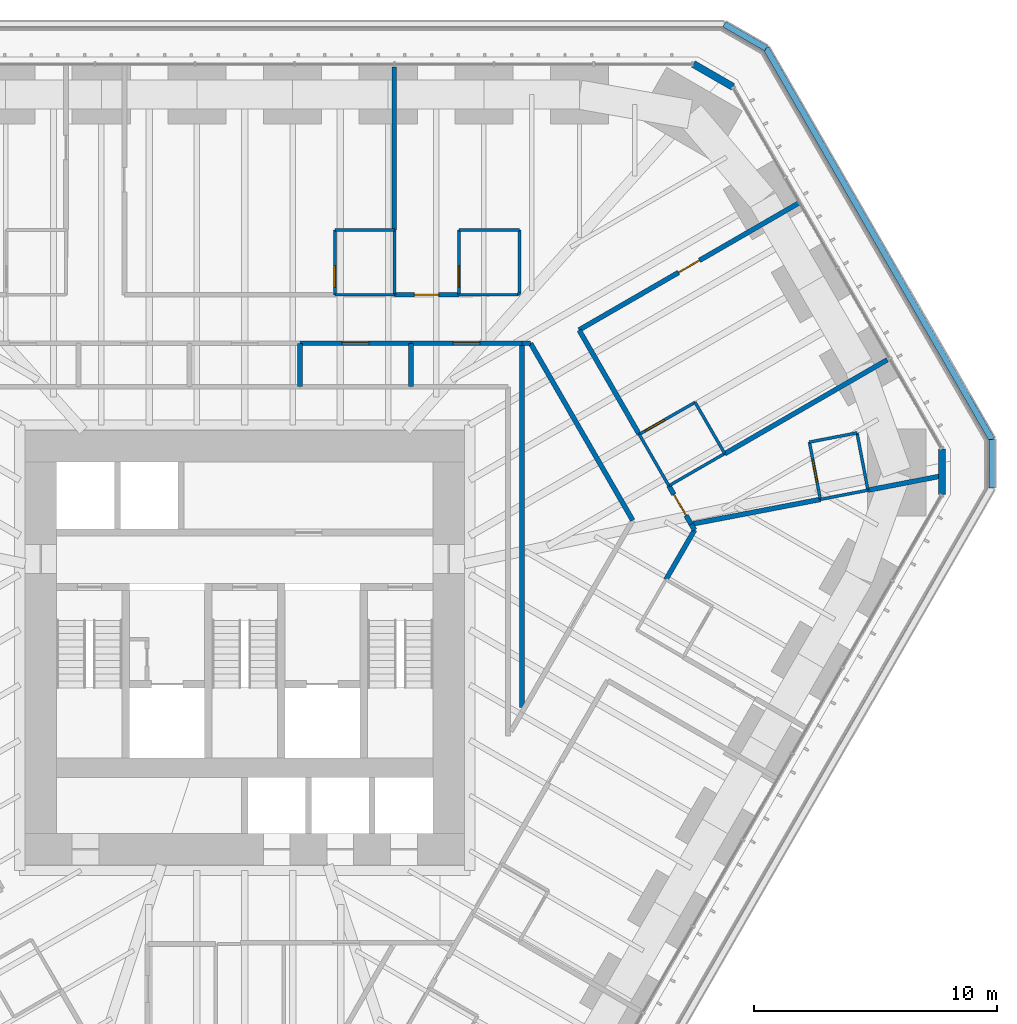
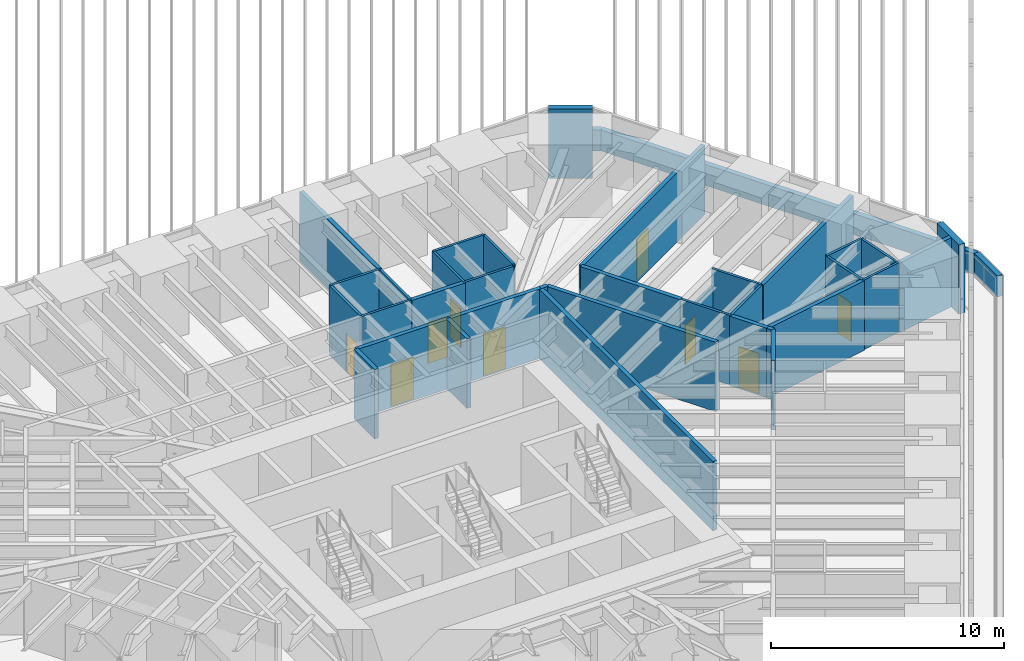
# One storey, part 234 of 238: 39 walls, 9 doors, 9 openings.
"""IFC4 building model written with IfcOpenShell, lengths in metres."""

from ifc_helpers import new_model, si_unit, direction, frame, frame_2d, origin, place, context, subcontext, project, spatial, rectangle, extrude, material, layer, layer_set, type_object, element, fill, save


model = new_model("IFC4")

# Units and contexts
model_context = context("Model", 3, precision=1e-05, world=origin(), true_north=direction((0.0, 1.0)))
body_context = subcontext(model_context, "Body", "Model", "MODEL_VIEW")
ifc_project = project(units=[si_unit("LENGTHUNIT", "METRE"), si_unit("AREAUNIT", "SQUARE_METRE"), si_unit("VOLUMEUNIT", "CUBIC_METRE"), si_unit("PLANEANGLEUNIT", "RADIAN"), si_unit("MASSUNIT", "GRAM", prefix="KILO")], contexts=[model_context])

# Site, building, storey
site_placement = place(None, origin())
site = spatial("IfcSite", under=ifc_project, at=site_placement, CompositionType="ELEMENT")
building_placement = place(site_placement, origin())
building = spatial("IfcBuilding", under=site, at=building_placement, Name="Sandreach Pilgrim Tower", CompositionType="ELEMENT")
storey_placement = place(building_placement, frame((0.0, 0.0, 96.800048828125)))
storey = spatial("IfcBuildingStorey", under=building, at=storey_placement, Name="L23", CompositionType="ELEMENT", Elevation=96.800048828125)

# Wall, opening, door
ifc_material_1 = material(Name="Moisture-resistant gypsum board on steel studs", Category="steel")
ifc_layer_1 = layer(ifc_material_1, 0.1201171875)
ifc_layer_set_1 = layer_set([ifc_layer_1], Name="Bathroom partition 120")
wall_type_1 = type_object("IfcWallType", Name="Bathroom partition 120", PredefinedType="PARTITIONING", material=ifc_layer_set_1)
wall_1_placement = place(storey_placement, frame((3.7099609375, 15.659912109375, 0.0), z_axis=(0.0, 0.0, 1.0), x_axis=(0.0, -1.0, 0.0)))
wall_1 = element("IfcWall", 1, at=wall_1_placement, inside=storey, type_object=wall_type_1, Name="Bathroom partition L23-081", PredefinedType="PARTITIONING", context=body_context, shape_type="SweptSolid", body=[
    extrude(rectangle(XDim=2.669921875, YDim=0.1201171875, at=frame_2d((1.3349609375, 0.0))), origin(), (0.0, 0.0, 1.0), 3.639892578125),
])
opening_1_placement = place(wall_1_placement, frame((1.469970703125, 0.0, 0.0)))
opening_1 = element("IfcOpeningElement", 2, at=opening_1_placement, cuts=wall_1, Name="Opening D09-02B", PredefinedType="OPENING", context=body_context, shape_type="SweptSolid", body=[
    extrude(rectangle(XDim=0.89990234375, YDim=2.030029296875, at=frame_2d((0.449951171875, 1.01513671875))), frame((0.0, 0.06005859375, 0.0), z_axis=(0.0, -1.0, 0.0), x_axis=(1.0, 0.0, 0.0)), (0.0, 0.0, 1.0), 0.1201171875),
])
ifc_material_2 = material(Name="Timber door, steel frame", Category="steel")
door_type_1 = type_object("IfcDoorType", Name="Bathroom door", OperationType="SINGLE_SWING_LEFT", PredefinedType="DOOR", material=ifc_material_2)
door_1_placement = place(opening_1_placement, origin())
door_1 = element("IfcDoor", 3, at=door_1_placement, inside=storey, type_object=door_type_1, Name="Door 2302B", OperationType="SINGLE_SWING_RIGHT", OverallHeight=2.030029296875, OverallWidth=0.89990234375, PredefinedType="DOOR", context=body_context, shape_type="SweptSolid", body=[
    extrude(rectangle(XDim=0.89990234375, YDim=2.030029296875, at=frame_2d((0.449951171875, 1.01513671875))), frame((0.0, 0.02490234375, 0.0), z_axis=(0.0, -1.0, 0.0), x_axis=(1.0, 0.0, 0.0)), (0.0, 0.0, 1.0), 0.050048828125),
])
fill(opening_1, door_1)

# Walls
for number, where, z_axis, x_axis, name in (
    (4, (6.159912109375, 12.989990234375, 0.0), (0.0, 0.0, 1.0), (-1.0, 0.0, 0.0), "Bathroom partition L23-087"),
    (5, (6.159912109375, 15.659912109375, 0.0), (0.0, 0.0, 1.0), (-1.0, 0.0, 0.0), "Bathroom partition L23-088"),
):
    element("IfcWall", number, at=place(storey_placement, frame(where, z_axis=z_axis, x_axis=x_axis)), inside=storey, type_object=wall_type_1, Name=name, PredefinedType="PARTITIONING", context=body_context, shape_type="SweptSolid", body=[
        extrude(rectangle(XDim=2.449951171875, YDim=0.1201171875, at=frame_2d((1.22509765625, 0.0))), origin(), (0.0, 0.0, 1.0), 3.639892578125),
    ])
wall_2_placement = place(storey_placement, frame((6.159912109375, 15.659912109375, 0.0), z_axis=(0.0, 0.0, 1.0), x_axis=(0.0, -1.0, 0.0)))
element("IfcWall", 6, at=wall_2_placement, inside=storey, type_object=wall_type_1, Name="Bathroom partition L23-089", PredefinedType="PARTITIONING", context=body_context, shape_type="SweptSolid", body=[
    extrude(rectangle(XDim=2.669921875, YDim=0.1201171875, at=frame_2d((1.3349609375, 0.0))), origin(), (0.0, 0.0, 1.0), 3.639892578125),
])

# Wall, opening, door
wall_3_placement = place(storey_placement, frame((8.820068359375, 15.659912109375, 0.0), z_axis=(0.0, 0.0, 1.0), x_axis=(0.0, -1.0, 0.0)))
wall_3 = element("IfcWall", 7, at=wall_3_placement, inside=storey, type_object=wall_type_1, Name="Bathroom partition L23-101", PredefinedType="PARTITIONING", context=body_context, shape_type="SweptSolid", body=[
    extrude(rectangle(XDim=2.669921875, YDim=0.1201171875, at=frame_2d((1.3349609375, 0.0))), origin(), (0.0, 0.0, 1.0), 3.639892578125),
])
opening_2_placement = place(wall_3_placement, frame((1.469970703125, 0.0, 0.0)))
opening_2 = element("IfcOpeningElement", 8, at=opening_2_placement, cuts=wall_3, Name="Opening D09-03B", PredefinedType="OPENING", context=body_context, shape_type="SweptSolid", body=[
    extrude(rectangle(XDim=0.89990234375, YDim=2.030029296875, at=frame_2d((0.449951171875, 1.01513671875))), frame((0.0, 0.06005859375, 0.0), z_axis=(0.0, -1.0, 0.0), x_axis=(1.0, 0.0, 0.0)), (0.0, 0.0, 1.0), 0.1201171875),
])
door_2_placement = place(opening_2_placement, origin())
door_2 = element("IfcDoor", 9, at=door_2_placement, inside=storey, type_object=door_type_1, Name="Door 2303B", OperationType="SINGLE_SWING_RIGHT", OverallHeight=2.030029296875, OverallWidth=0.89990234375, PredefinedType="DOOR", context=body_context, shape_type="SweptSolid", body=[
    extrude(rectangle(XDim=0.89990234375, YDim=2.030029296875, at=frame_2d((0.449951171875, 1.01513671875))), frame((0.0, 0.02490234375, 0.0), z_axis=(0.0, -1.0, 0.0), x_axis=(1.0, 0.0, 0.0)), (0.0, 0.0, 1.0), 0.050048828125),
])
fill(opening_2, door_2)

# Walls
wall_4_placement = place(storey_placement, frame((11.25, 12.989990234375, 0.0), z_axis=(0.0, 0.0, 1.0), x_axis=(-1.0, 0.0, 0.0)))
element("IfcWall", 10, at=wall_4_placement, inside=storey, type_object=wall_type_1, Name="Bathroom partition L23-109", PredefinedType="PARTITIONING", context=body_context, shape_type="SweptSolid", body=[
    extrude(rectangle(XDim=2.429931640625, YDim=0.1201171875, at=frame_2d((1.21484375, 0.0))), origin(), (0.0, 0.0, 1.0), 3.639892578125),
])
wall_5_placement = place(storey_placement, frame((11.320068359375, 13.070068359375, 0.0), z_axis=(0.0, 0.0, 1.0), x_axis=(-0.658504607869, -0.752576694707, 0.0)))
element("IfcWall", 11, at=wall_5_placement, inside=storey, type_object=wall_type_1, Name="Bathroom partition L23-112", PredefinedType="PARTITIONING", context=body_context, shape_type="SweptSolid", body=[
    extrude(rectangle(XDim=0.1064453125, YDim=0.1201171875, at=frame_2d((0.05322265625, 0.0))), origin(), (0.0, 0.0, 1.0), 3.639892578125),
])
wall_6_placement = place(storey_placement, frame((11.320068359375, 13.070068359375, 0.0), z_axis=(0.0, 0.0, 1.0), x_axis=(0.0, 1.0, 0.0)))
element("IfcWall", 12, at=wall_6_placement, inside=storey, type_object=wall_type_1, Name="Bathroom partition L23-113", PredefinedType="PARTITIONING", context=body_context, shape_type="SweptSolid", body=[
    extrude(rectangle(XDim=2.58984375, YDim=0.1201171875, at=frame_2d((1.294921875, 0.0))), origin(), (0.0, 0.0, 1.0), 3.639892578125),
])
wall_7_placement = place(storey_placement, frame((11.320068359375, 15.659912109375, 0.0), z_axis=(0.0, 0.0, 1.0), x_axis=(-1.0, 0.0, 0.0)))
element("IfcWall", 13, at=wall_7_placement, inside=storey, type_object=wall_type_1, Name="Bathroom partition L23-114", PredefinedType="PARTITIONING", context=body_context, shape_type="SweptSolid", body=[
    extrude(rectangle(XDim=2.5, YDim=0.1201171875, at=frame_2d((1.25, 0.0))), origin(), (0.0, 0.0, 1.0), 3.639892578125),
])
wall_8_placement = place(storey_placement, frame((16.248779296875, 7.2392578125, 0.0), z_axis=(0.0, 0.0, 1.0), x_axis=(0.499296083727, -0.866431428778, 0.0)))
element("IfcWall", 14, at=wall_8_placement, inside=storey, type_object=wall_type_1, Name="Bathroom partition L23-126", PredefinedType="PARTITIONING", context=body_context, shape_type="SweptSolid", body=[
    extrude(rectangle(XDim=2.44580078125, YDim=0.1201171875, at=frame_2d((1.222900390625, 0.0))), origin(), (0.0, 0.0, 1.0), 3.639892578125),
])
wall_9_placement = place(storey_placement, frame((17.469970703125, 5.1201171875, 0.0), z_axis=(0.0, 0.0, 1.0), x_axis=(0.865715544058, 0.500536309148, 0.0)))
element("IfcWall", 15, at=wall_9_placement, inside=storey, type_object=wall_type_1, Name="Bathroom partition L23-129", PredefinedType="PARTITIONING", context=body_context, shape_type="SweptSolid", body=[
    extrude(rectangle(XDim=2.65673828125, YDim=0.1201171875, at=frame_2d((1.328369140625, 0.0))), origin(), (0.0, 0.0, 1.0), 3.639892578125),
])

# Wall, opening, door
wall_10_placement = place(storey_placement, frame((18.550048828125, 8.56005859375, 0.0), z_axis=(0.0, 0.0, 1.0), x_axis=(-0.867306827682, -0.497773911185, 0.0)))
wall_10 = element("IfcWall", 16, at=wall_10_placement, inside=storey, type_object=wall_type_1, Name="Bathroom partition L23-134", PredefinedType="PARTITIONING", context=body_context, shape_type="SweptSolid", body=[
    extrude(rectangle(XDim=2.65185546875, YDim=0.1201171875, at=frame_2d((1.325927734375, 0.0))), origin(), (0.0, 0.0, 1.0), 2.7255859375),
])
opening_3_placement = place(wall_10_placement, frame((1.451904296875, 0.0, 0.0)))
opening_3 = element("IfcOpeningElement", 17, at=opening_3_placement, cuts=wall_10, Name="Opening D09-04B", PredefinedType="OPENING", context=body_context, shape_type="SweptSolid", body=[
    extrude(rectangle(XDim=0.89990234375, YDim=2.030029296875, at=frame_2d((0.449951171875, 1.01513671875))), frame((0.0, 0.06005859375, 0.0), z_axis=(0.0, -1.0, 0.0), x_axis=(1.0, 0.0, 0.0)), (0.0, 0.0, 1.0), 0.1201171875),
])
door_3_placement = place(opening_3_placement, origin())
door_3 = element("IfcDoor", 18, at=door_3_placement, inside=storey, type_object=door_type_1, Name="Door 2304B", OperationType="SINGLE_SWING_RIGHT", OverallHeight=2.030029296875, OverallWidth=0.89990234375, PredefinedType="DOOR", context=body_context, shape_type="SweptSolid", body=[
    extrude(rectangle(XDim=0.89990234375, YDim=2.030029296875, at=frame_2d((0.449951171875, 1.01513671875))), frame((0.0, 0.02490234375, 0.0), z_axis=(0.0, -1.0, 0.0), x_axis=(1.0, 0.0, 0.0)), (0.0, 0.0, 1.0), 0.050048828125),
])
fill(opening_3, door_3)

# Wall
wall_11_placement = place(storey_placement, frame((19.77001953125, 6.449951171875, 0.0), z_axis=(0.0, 0.0, 1.0), x_axis=(-0.500522890398, 0.865723302324, 0.0)))
element("IfcWall", 19, at=wall_11_placement, inside=storey, type_object=wall_type_1, Name="Bathroom partition L23-136", PredefinedType="PARTITIONING", context=body_context, shape_type="SweptSolid", body=[
    extrude(rectangle(XDim=2.4375, YDim=0.1201171875, at=frame_2d((1.21875, 0.0))), origin(), (0.0, 0.0, 1.0), 3.639892578125),
])

# Wall, opening, door
wall_12_placement = place(storey_placement, frame((23.260009765625, 6.919921875, 0.0), z_axis=(0.0, 0.0, 1.0), x_axis=(0.187294228499, -0.982303859288, 0.0)))
wall_12 = element("IfcWall", 20, at=wall_12_placement, inside=storey, type_object=wall_type_1, Name="Bathroom partition L23-137", PredefinedType="PARTITIONING", context=body_context, shape_type="SweptSolid", body=[
    extrude(rectangle(XDim=2.40234375, YDim=0.1201171875, at=frame_2d((1.201171875, 0.0))), origin(), (0.0, 0.0, 1.0), 3.639892578125),
])
opening_4_placement = place(wall_12_placement, frame((0.75, 0.0, 0.0)))
opening_4 = element("IfcOpeningElement", 21, at=opening_4_placement, cuts=wall_12, Name="Opening D09-05B", PredefinedType="OPENING", context=body_context, shape_type="SweptSolid", body=[
    extrude(rectangle(XDim=0.89990234375, YDim=2.030029296875, at=frame_2d((0.449951171875, 1.01513671875))), frame((0.0, 0.06005859375, 0.0), z_axis=(0.0, -1.0, 0.0), x_axis=(1.0, 0.0, 0.0)), (0.0, 0.0, 1.0), 0.1201171875),
])
door_4_placement = place(opening_4_placement, origin())
door_4 = element("IfcDoor", 22, at=door_4_placement, inside=storey, type_object=door_type_1, Name="Door 2305B", OperationType="SINGLE_SWING_LEFT", OverallHeight=2.030029296875, OverallWidth=0.89990234375, PredefinedType="DOOR", context=body_context, shape_type="SweptSolid", body=[
    extrude(rectangle(XDim=0.89990234375, YDim=2.030029296875, at=frame_2d((0.449951171875, 1.01513671875))), frame((0.0, 0.02490234375, 0.0), z_axis=(0.0, -1.0, 0.0), x_axis=(1.0, 0.0, 0.0)), (0.0, 0.0, 1.0), 0.050048828125),
])
fill(opening_4, door_4)

# Walls
wall_13_placement = place(storey_placement, frame((23.7099609375, 4.56005859375, 0.0), z_axis=(0.0, 0.0, 1.0), x_axis=(0.981729772821, 0.190280459207, 0.0)))
element("IfcWall", 23, at=wall_13_placement, inside=storey, type_object=wall_type_1, Name="Bathroom partition L23-138", PredefinedType="PARTITIONING", context=body_context, shape_type="SweptSolid", body=[
    extrude(rectangle(XDim=1.996337890625, YDim=0.1201171875, at=frame_2d((0.998046875, 0.0))), origin(), (0.0, 0.0, 1.0), 3.639892578125),
])
wall_14_placement = place(storey_placement, frame((25.219970703125, 7.300048828125, 0.0), z_axis=(0.0, 0.0, 1.0), x_axis=(-0.981706922352, -0.190398315658, 0.0)))
element("IfcWall", 24, at=wall_14_placement, inside=storey, type_object=wall_type_1, Name="Bathroom partition L23-139", PredefinedType="PARTITIONING", context=body_context, shape_type="SweptSolid", body=[
    extrude(rectangle(XDim=1.99658203125, YDim=0.1201171875, at=frame_2d((0.998291015625, 0.0))), origin(), (0.0, 0.0, 1.0), 3.639892578125),
])
wall_15_placement = place(storey_placement, frame((25.669921875, 4.93994140625, 0.0), z_axis=(0.0, 0.0, 1.0), x_axis=(-0.187275533444, 0.982307423658, 0.0)))
element("IfcWall", 25, at=wall_15_placement, inside=storey, type_object=wall_type_1, Name="Bathroom partition L23-140", PredefinedType="PARTITIONING", context=body_context, shape_type="SweptSolid", body=[
    extrude(rectangle(XDim=2.402587890625, YDim=0.1201171875, at=frame_2d((1.201171875, 0.0))), origin(), (0.0, 0.0, 1.0), 3.639892578125),
])

# Wall, opening, door
ifc_material_3 = material(Name="Gypsum board on steel studs, two layers each side", Category="steel")
ifc_layer_2 = layer(ifc_material_3, 0.199951171875)
ifc_layer_set_2 = layer_set([ifc_layer_2], Name="Corridor wall 200")
wall_type_2 = type_object("IfcWallType", Name="Corridor wall 200", PredefinedType="PARTITIONING", material=ifc_layer_set_2)
wall_16_placement = place(storey_placement, frame((2.280029296875, 10.989990234375, 0.0), z_axis=(0.0, 0.0, 1.0), x_axis=(1.0, 0.0, 0.0)))
wall_16 = element("IfcWall", 26, at=wall_16_placement, inside=storey, type_object=wall_type_2, Name="Corridor wall L23-079", PredefinedType="PARTITIONING", context=body_context, shape_type="SweptSolid", body=[
    extrude(rectangle(XDim=4.570068359375, YDim=0.199951171875, at=frame_2d((2.28515625, 0.0))), origin(), (0.0, 0.0, 1.0), 3.639892578125),
])
opening_5_placement = place(wall_16_placement, frame((1.735107421875, 0.0, 0.0)))
opening_5 = element("IfcOpeningElement", 27, at=opening_5_placement, cuts=wall_16, Name="Opening D11H-M05", PredefinedType="OPENING", context=body_context, shape_type="SweptSolid", body=[
    extrude(rectangle(XDim=1.10009765625, YDim=2.199951171875, at=frame_2d((0.550048828125, 1.10009765625))), frame((0.0, 0.10009765625, 0.0), z_axis=(0.0, -1.0, 0.0), x_axis=(1.0, 0.0, 0.0)), (0.0, 0.0, 1.0), 0.199951171875),
])
ifc_material_4 = material(Name="Steel door and frame", Category="steel")
door_type_2 = type_object("IfcDoorType", Name="Back of house door", OperationType="SINGLE_SWING_LEFT", PredefinedType="DOOR", material=ifc_material_4)
door_5_placement = place(opening_5_placement, origin())
door_5 = element("IfcDoor", 28, at=door_5_placement, inside=storey, type_object=door_type_2, Name="Door 23M05", OperationType="SINGLE_SWING_LEFT", OverallHeight=2.199951171875, OverallWidth=1.10009765625, PredefinedType="DOOR", context=body_context, shape_type="SweptSolid", body=[
    extrude(rectangle(XDim=1.10009765625, YDim=2.199951171875, at=frame_2d((0.550048828125, 1.10009765625))), frame((0.0, 0.02490234375, 0.0), z_axis=(0.0, -1.0, 0.0), x_axis=(1.0, 0.0, 0.0)), (0.0, 0.0, 1.0), 0.050048828125),
])
fill(opening_5, door_5)

wall_17_placement = place(storey_placement, frame((6.85009765625, 10.989990234375, 0.0), z_axis=(0.0, 0.0, 1.0), x_axis=(1.0, 0.0, 0.0)))
wall_17 = element("IfcWall", 29, at=wall_17_placement, inside=storey, type_object=wall_type_2, Name="Corridor wall L23-096", PredefinedType="PARTITIONING", context=body_context, shape_type="SweptSolid", body=[
    extrude(rectangle(XDim=4.56982421875, YDim=0.199951171875, at=frame_2d((2.284912109375, 0.0))), origin(), (0.0, 0.0, 1.0), 3.639892578125),
])
opening_6_placement = place(wall_17_placement, frame((1.735107421875, 0.0, 0.0)))
opening_6 = element("IfcOpeningElement", 30, at=opening_6_placement, cuts=wall_17, Name="Opening D11H-M06", PredefinedType="OPENING", context=body_context, shape_type="SweptSolid", body=[
    extrude(rectangle(XDim=1.10009765625, YDim=2.199951171875, at=frame_2d((0.550048828125, 1.10009765625))), frame((0.0, 0.10009765625, 0.0), z_axis=(0.0, -1.0, 0.0), x_axis=(1.0, 0.0, 0.0)), (0.0, 0.0, 1.0), 0.199951171875),
])
door_6_placement = place(opening_6_placement, origin())
door_6 = element("IfcDoor", 31, at=door_6_placement, inside=storey, type_object=door_type_2, Name="Door 23M06", OperationType="SINGLE_SWING_LEFT", OverallHeight=2.199951171875, OverallWidth=1.10009765625, PredefinedType="DOOR", context=body_context, shape_type="SweptSolid", body=[
    extrude(rectangle(XDim=1.10009765625, YDim=2.199951171875, at=frame_2d((0.550048828125, 1.10009765625))), frame((0.0, 0.02490234375, 0.0), z_axis=(0.0, -1.0, 0.0), x_axis=(1.0, 0.0, 0.0)), (0.0, 0.0, 1.0), 0.050048828125),
])
fill(opening_6, door_6)

wall_18_placement = place(storey_placement, frame((8.820068359375, 12.989990234375, 0.0), z_axis=(0.0, 0.0, 1.0), x_axis=(-1.0, 0.0, 0.0)))
wall_18 = element("IfcWall", 32, at=wall_18_placement, inside=storey, type_object=wall_type_2, Name="Corridor wall L23-100", PredefinedType="PARTITIONING", context=body_context, shape_type="SweptSolid", body=[
    extrude(rectangle(XDim=2.66015625, YDim=0.199951171875, at=frame_2d((1.330078125, 0.0))), origin(), (0.0, 0.0, 1.0), 3.639892578125),
])
opening_7_placement = place(wall_18_placement, frame((0.830078125, 0.0, 0.0)))
opening_7 = element("IfcOpeningElement", 33, at=opening_7_placement, cuts=wall_18, Name="Opening D10-03", PredefinedType="OPENING", context=body_context, shape_type="SweptSolid", body=[
    extrude(rectangle(XDim=1.0, YDim=2.1298828125, at=frame_2d((0.5, 1.06494140625))), frame((0.0, 0.10009765625, 0.0), z_axis=(0.0, -1.0, 0.0), x_axis=(1.0, 0.0, 0.0)), (0.0, 0.0, 1.0), 0.199951171875),
])
ifc_material_5 = material(Name="Steel door and frame", Category="steel")
door_type_3 = type_object("IfcDoorType", Name="Guest room entry door", OperationType="SINGLE_SWING_LEFT", PredefinedType="DOOR", material=ifc_material_5)
door_7_placement = place(opening_7_placement, origin())
door_7 = element("IfcDoor", 34, at=door_7_placement, inside=storey, type_object=door_type_3, Name="Door 2303", OperationType="SINGLE_SWING_LEFT", OverallHeight=2.1298828125, OverallWidth=1.0, PredefinedType="DOOR", context=body_context, shape_type="SweptSolid", body=[
    extrude(rectangle(XDim=1.0, YDim=2.1298828125, at=frame_2d((0.5, 1.06494140625))), frame((0.0, 0.02490234375, 0.0), z_axis=(0.0, -1.0, 0.0), x_axis=(1.0, 0.0, 0.0)), (0.0, 0.0, 1.0), 0.050048828125),
])
fill(opening_7, door_7)

# Walls
wall_19_placement = place(storey_placement, frame((11.419921875, 10.989990234375, 0.0), z_axis=(0.0, 0.0, 1.0), x_axis=(1.0, 0.0, 0.0)))
element("IfcWall", 35, at=wall_19_placement, inside=storey, type_object=wall_type_2, Name="Corridor wall L23-117", PredefinedType="PARTITIONING", context=body_context, shape_type="SweptSolid", body=[
    extrude(rectangle(XDim=0.35009765625, YDim=0.199951171875, at=frame_2d((0.175048828125, 0.0))), origin(), (0.0, 0.0, 1.0), 3.639892578125),
])
wall_20_placement = place(storey_placement, frame((11.77001953125, 10.989990234375, 0.0), z_axis=(0.0, 0.0, 1.0), x_axis=(0.500093981358, -0.865971136822, 0.0)))
element("IfcWall", 36, at=wall_20_placement, inside=storey, type_object=wall_type_2, Name="Corridor wall L23-118", PredefinedType="PARTITIONING", context=body_context, shape_type="SweptSolid", body=[
    extrude(rectangle(XDim=8.41845703125, YDim=0.199951171875, at=frame_2d((4.209228515625, 0.0))), origin(), (0.0, 0.0, 1.0), 3.639892578125),
])

# Wall, opening, door
wall_21_placement = place(storey_placement, frame((13.77001953125, 11.5400390625, 0.0), z_axis=(0.0, 0.0, 1.0), x_axis=(0.865951726818, 0.500127590541, 0.0)))
wall_21 = element("IfcWall", 37, at=wall_21_placement, inside=storey, type_object=wall_type_2, Name="Corridor wall L23-120", PredefinedType="PARTITIONING", context=body_context, shape_type="SweptSolid", body=[
    extrude(rectangle(XDim=10.467041015625, YDim=0.199951171875, at=frame_2d((5.2333984375, 0.0))), origin(), (0.0, 0.0, 1.0), 3.639892578125),
])
opening_8_placement = place(wall_21_placement, frame((4.733642578125, 0.0, 0.0)))
opening_8 = element("IfcOpeningElement", 38, at=opening_8_placement, cuts=wall_21, Name="Opening D10-04", PredefinedType="OPENING", context=body_context, shape_type="SweptSolid", body=[
    extrude(rectangle(XDim=1.0, YDim=2.1298828125, at=frame_2d((0.5, 1.06494140625))), frame((0.0, 0.10009765625, 0.0), z_axis=(0.0, -1.0, 0.0), x_axis=(1.0, 0.0, 0.0)), (0.0, 0.0, 1.0), 0.199951171875),
])
door_8_placement = place(opening_8_placement, origin())
door_8 = element("IfcDoor", 39, at=door_8_placement, inside=storey, type_object=door_type_3, Name="Door 2304", OperationType="SINGLE_SWING_LEFT", OverallHeight=2.1298828125, OverallWidth=1.0, PredefinedType="DOOR", context=body_context, shape_type="SweptSolid", body=[
    extrude(rectangle(XDim=1.0, YDim=2.1298828125, at=frame_2d((0.5, 1.06494140625))), frame((0.0, 0.02490234375, 0.0), z_axis=(0.0, -1.0, 0.0), x_axis=(1.0, 0.0, 0.0)), (0.0, 0.0, 1.0), 0.050048828125),
])
fill(opening_8, door_8)

# Walls
wall_22_placement = place(storey_placement, frame((13.77490234375, 11.53125, 0.0), z_axis=(0.0, 0.0, 1.0), x_axis=(0.499378257914, -0.866384069292, 0.0)))
element("IfcWall", 40, at=wall_22_placement, inside=storey, type_object=wall_type_2, Name="Corridor wall L23-121", PredefinedType="PARTITIONING", context=body_context, shape_type="SweptSolid", body=[
    extrude(rectangle(XDim=4.953857421875, YDim=0.199951171875, at=frame_2d((2.47705078125, 0.0))), origin(), (0.0, 0.0, 1.0), 3.639892578125),
])
wall_23_placement = place(storey_placement, frame((17.35009765625, 1.260009765625, 0.0), z_axis=(0.0, 0.0, 1.0), x_axis=(0.500672785493, 0.8656366223, 0.0)))
element("IfcWall", 41, at=wall_23_placement, inside=storey, type_object=wall_type_2, Name="Corridor wall L23-127", PredefinedType="PARTITIONING", context=body_context, shape_type="SweptSolid", body=[
    extrude(rectangle(XDim=2.356689453125, YDim=0.199951171875, at=frame_2d((1.17822265625, 0.0))), origin(), (0.0, 0.0, 1.0), 3.639892578125),
])

# Wall, opening, door
wall_24_placement = place(storey_placement, frame((17.469970703125, 5.1201171875, 0.0), z_axis=(0.0, 0.0, 1.0), x_axis=(0.501536229379, -0.865136642745, 0.0)))
wall_24 = element("IfcWall", 42, at=wall_24_placement, inside=storey, type_object=wall_type_2, Name="Corridor wall L23-128", PredefinedType="PARTITIONING", context=body_context, shape_type="SweptSolid", body=[
    extrude(rectangle(XDim=1.828369140625, YDim=0.199951171875, at=frame_2d((0.9140625, 0.0))), origin(), (0.0, 0.0, 1.0), 3.639892578125),
])
opening_9_placement = place(wall_24_placement, frame((0.414306640625, 0.0, 0.0)))
opening_9 = element("IfcOpeningElement", 43, at=opening_9_placement, cuts=wall_24, Name="Opening D10-05", PredefinedType="OPENING", context=body_context, shape_type="SweptSolid", body=[
    extrude(rectangle(XDim=1.0, YDim=2.1298828125, at=frame_2d((0.5, 1.06494140625))), frame((0.0, 0.10009765625, 0.0), z_axis=(0.0, -1.0, 0.0), x_axis=(1.0, 0.0, 0.0)), (0.0, 0.0, 1.0), 0.199951171875),
])
door_9_placement = place(opening_9_placement, origin())
door_9 = element("IfcDoor", 44, at=door_9_placement, inside=storey, type_object=door_type_3, Name="Door 2305", OperationType="SINGLE_SWING_LEFT", OverallHeight=2.1298828125, OverallWidth=1.0, PredefinedType="DOOR", context=body_context, shape_type="SweptSolid", body=[
    extrude(rectangle(XDim=1.0, YDim=2.1298828125, at=frame_2d((0.5, 1.06494140625))), frame((0.0, 0.02490234375, 0.0), z_axis=(0.0, -1.0, 0.0), x_axis=(1.0, 0.0, 0.0)), (0.0, 0.0, 1.0), 0.050048828125),
])
fill(opening_9, door_9)

# Walls
wall_25_placement = place(storey_placement, frame((18.386962890625, 3.538330078125, 0.0), z_axis=(0.0, 0.0, 1.0), x_axis=(0.514754090884, -0.857337871506, 0.0)))
element("IfcWall", 45, at=wall_25_placement, inside=storey, type_object=wall_type_2, Name="Corridor wall L23-132", PredefinedType="PARTITIONING", context=body_context, shape_type="SweptSolid", body=[
    extrude(rectangle(XDim=0.27783203125, YDim=0.199951171875, at=frame_2d((0.138916015625, 0.0))), origin(), (0.0, 0.0, 1.0), 3.639892578125),
])
ifc_material_6 = material(Name="Double steel stud acoustic wall, gypsum board", Category="steel")
ifc_layer_3 = layer(ifc_material_6, 0.199951171875)
ifc_layer_set_3 = layer_set([ifc_layer_3], Name="Party wall 200")
wall_type_3 = type_object("IfcWallType", Name="Party wall 200", PredefinedType="PARTITIONING", material=ifc_layer_set_3)
wall_26_placement = place(storey_placement, frame((2.280029296875, 10.97998046875, 0.0), z_axis=(0.0, 0.0, 1.0), x_axis=(0.0, -1.0, 0.0)))
element("IfcWall", 46, at=wall_26_placement, inside=storey, type_object=wall_type_3, Name="Party wall L23-078", PredefinedType="PARTITIONING", context=body_context, shape_type="SweptSolid", body=[
    extrude(rectangle(XDim=1.77001953125, YDim=0.199951171875, at=frame_2d((0.885009765625, 0.0))), origin(), (0.0, 0.0, 1.0), 3.639892578125),
])
wall_27_placement = place(storey_placement, frame((6.159912109375, 22.3701171875, 0.0), z_axis=(0.0, 0.0, 1.0), x_axis=(0.0, -1.0, 0.0)))
element("IfcWall", 47, at=wall_27_placement, inside=storey, type_object=wall_type_3, Name="Party wall L23-090", PredefinedType="PARTITIONING", context=body_context, shape_type="SweptSolid", body=[
    extrude(rectangle(XDim=6.710205078125, YDim=0.199951171875, at=frame_2d((3.35498046875, 0.0))), origin(), (0.0, 0.0, 1.0), 3.639892578125),
])
wall_28_placement = place(storey_placement, frame((6.85009765625, 10.97998046875, 0.0), z_axis=(0.0, 0.0, 1.0), x_axis=(0.0, -1.0, 0.0)))
element("IfcWall", 48, at=wall_28_placement, inside=storey, type_object=wall_type_3, Name="Party wall L23-095", PredefinedType="PARTITIONING", context=body_context, shape_type="SweptSolid", body=[
    extrude(rectangle(XDim=1.77001953125, YDim=0.199951171875, at=frame_2d((0.885009765625, 0.0))), origin(), (0.0, 0.0, 1.0), 3.639892578125),
])
wall_29_placement = place(storey_placement, frame((11.419921875, 10.97998046875, 0.0), z_axis=(0.0, 0.0, 1.0), x_axis=(0.0, -1.0, 0.0)))
element("IfcWall", 49, at=wall_29_placement, inside=storey, type_object=wall_type_3, Name="Party wall L23-116", PredefinedType="PARTITIONING", context=body_context, shape_type="SweptSolid", body=[
    extrude(rectangle(XDim=14.98486328125, YDim=0.199951171875, at=frame_2d((7.492431640625, 0.0))), origin(), (0.0, 0.0, 1.0), 3.639892578125),
])
wall_30_placement = place(storey_placement, frame((18.439208984375, 3.54931640625, 0.0), z_axis=(0.0, 0.0, 1.0), x_axis=(0.982105276165, 0.188332754797, 0.0)))
element("IfcWall", 50, at=wall_30_placement, inside=storey, type_object=wall_type_3, Name="Party wall L23-133", PredefinedType="PARTITIONING", context=body_context, shape_type="SweptSolid", body=[
    extrude(rectangle(XDim=5.36669921875, YDim=0.199951171875, at=frame_2d((2.683349609375, 0.0))), origin(), (0.0, 0.0, 1.0), 3.639892578125),
])
wall_31_placement = place(storey_placement, frame((25.669921875, 4.93994140625, 0.0), z_axis=(0.0, 0.0, 1.0), x_axis=(0.981783608641, 0.190002488943, 0.0)))
element("IfcWall", 51, at=wall_31_placement, inside=storey, type_object=wall_type_3, Name="Party wall L23-141", PredefinedType="PARTITIONING", context=body_context, shape_type="SweptSolid", body=[
    extrude(rectangle(XDim=3.12744140625, YDim=0.199951171875, at=frame_2d((1.563720703125, 0.0))), origin(), (0.0, 0.0, 1.0), 3.639892578125),
])
wall_32_placement = place(storey_placement, frame((26.466064453125, 10.31005859375, 0.0), z_axis=(0.0, 0.0, 1.0), x_axis=(-0.865792743708, -0.500402762725, 0.0)))
element("IfcWall", 52, at=wall_32_placement, inside=storey, type_object=wall_type_3, Name="Party wall L23-142", PredefinedType="PARTITIONING", context=body_context, shape_type="SweptSolid", body=[
    extrude(rectangle(XDim=7.73388671875, YDim=0.199951171875, at=frame_2d((3.866943359375, 0.0))), origin(), (0.0, 0.0, 1.0), 3.639892578125),
])
ifc_material_7 = material(Name="Concrete parapet with terracotta coping", Category="masonry")
ifc_layer_4 = layer(ifc_material_7, 0.25)
ifc_layer_set_4 = layer_set([ifc_layer_4], Name="Setback parapet")
wall_type_4 = type_object("IfcWallType", Name="Setback parapet", PredefinedType="PARAPET", material=ifc_layer_set_4)
wall_33_placement = place(storey_placement, frame((30.774658203125, 5.037841796875, 0.0), z_axis=(0.0, 0.0, 1.0), x_axis=(0.000858368782, 0.999999631601, 0.0)))
element("IfcWall", 53, at=wall_33_placement, inside=storey, type_object=wall_type_4, Name="Setback parapet L23 9", PredefinedType="PARAPET", context=body_context, shape_type="SweptSolid", body=[
    extrude(rectangle(XDim=1.990966796875, YDim=0.25, at=frame_2d((0.99560546875, 0.0))), origin(), (0.0, 0.0, 1.0), 1.099853515625),
])
wall_34_placement = place(storey_placement, frame((30.7763671875, 7.02880859375, 0.0), z_axis=(0.0, 0.0, 1.0), x_axis=(-0.499999656836, 0.86602560191, 0.0)))
element("IfcWall", 54, at=wall_34_placement, inside=storey, type_object=wall_type_4, Name="Setback parapet L23 10", PredefinedType="PARAPET", context=body_context, shape_type="SweptSolid", body=[
    extrude(rectangle(XDim=18.60205078125, YDim=0.25, at=frame_2d((9.301025390625, 0.0))), origin(), (0.0, 0.0, 1.0), 1.099853515625),
])
wall_35_placement = place(storey_placement, frame((21.475341796875, 23.138671875, 0.0), z_axis=(0.0, 0.0, 1.0), x_axis=(-0.866479413317, 0.499212806625, 0.0)))
element("IfcWall", 55, at=wall_35_placement, inside=storey, type_object=wall_type_4, Name="Setback parapet L23 11", PredefinedType="PARAPET", context=body_context, shape_type="SweptSolid", body=[
    extrude(rectangle(XDim=1.990966796875, YDim=0.25, at=frame_2d((0.99560546875, 0.0))), origin(), (0.0, 0.0, 1.0), 1.099853515625),
])
ifc_material_8 = material(Name="Terracotta rainscreen on concrete", Category="masonry")
ifc_layer_5 = layer(ifc_material_8, 0.300048828125)
ifc_layer_set_5 = layer_set([ifc_layer_5], Name="Terracotta chamfer pier")
wall_type_5 = type_object("IfcWallType", Name="Terracotta chamfer pier", PredefinedType="SOLIDWALL", material=ifc_layer_set_5)
wall_36_placement = place(storey_placement, frame((18.4814453125, 22.493896484375, 0.0), z_axis=(0.0, 0.0, 1.0), x_axis=(0.865988793993, -0.500063404658, 0.0)))
element("IfcWall", 56, at=wall_36_placement, inside=storey, type_object=wall_type_5, Name="Chamfer pier L23 N", PredefinedType="SOLIDWALL", context=body_context, shape_type="SweptSolid", body=[
    extrude(rectangle(XDim=1.880126953125, YDim=0.300048828125, at=frame_2d((0.93994140625, 0.0))), origin(), (0.0, 0.0, 1.0), 3.639892578125),
])
wall_37_placement = place(storey_placement, frame((28.720947265625, 6.638427734375, 0.0), z_axis=(0.0, 0.0, 1.0), x_axis=(0.0, -1.0, 0.0)))
element("IfcWall", 57, at=wall_37_placement, inside=storey, type_object=wall_type_5, Name="Chamfer pier L23 NE", PredefinedType="SOLIDWALL", context=body_context, shape_type="SweptSolid", body=[
    extrude(rectangle(XDim=1.8798828125, YDim=0.300048828125, at=frame_2d((0.93994140625, 0.0))), origin(), (0.0, 0.0, 1.0), 3.639892578125),
])

save(model, "model.ifc")
